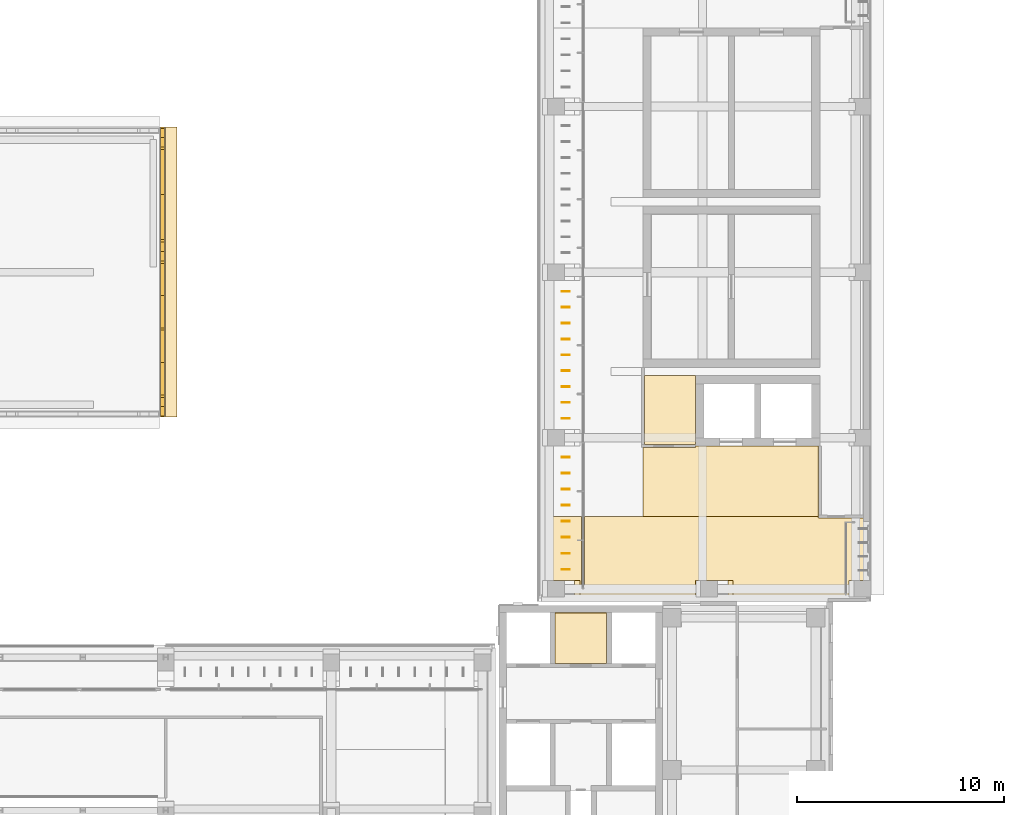
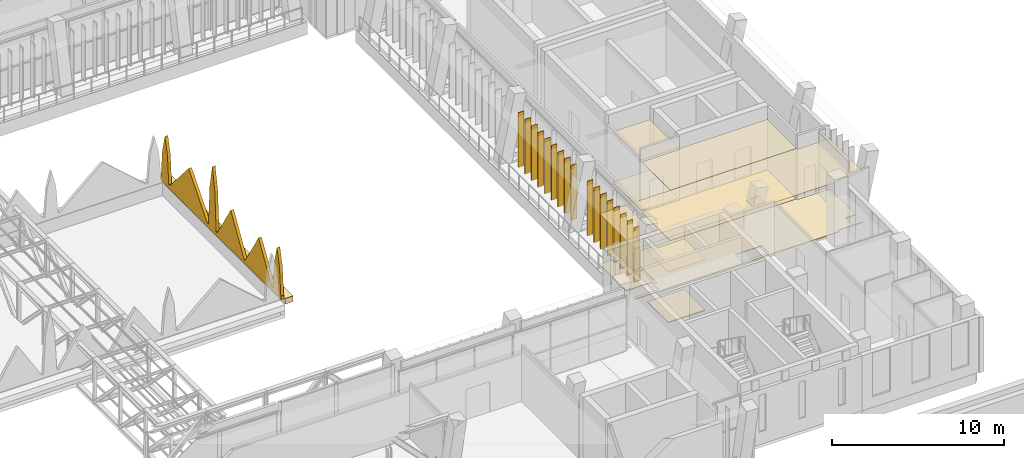
# One storey, part 138 of 141: 17 shading devices, 10 coverings.
"""IFC4 building model written with IfcOpenShell, lengths in metres."""

from ifc_helpers import new_model, si_unit, direction, frame, frame_2d, origin, origin_2d, place, context, subcontext, project, spatial, polyline, rectangle, outline, extrude, material, layer, layer_set, type_object, element, save


model = new_model("IFC4")

# Units and contexts
model_context = context("Model", 3, precision=1e-05, world=origin(), true_north=direction((0.0, 1.0)))
body_context = subcontext(model_context, "Body", "Model", "MODEL_VIEW")
ifc_project = project(units=[si_unit("LENGTHUNIT", "METRE"), si_unit("AREAUNIT", "SQUARE_METRE"), si_unit("VOLUMEUNIT", "CUBIC_METRE"), si_unit("PLANEANGLEUNIT", "RADIAN"), si_unit("MASSUNIT", "GRAM", prefix="KILO")], contexts=[model_context])

# Site, building, storey
site_placement = place(None, origin())
site = spatial("IfcSite", under=ifc_project, at=site_placement, CompositionType="ELEMENT")
building_placement = place(site_placement, origin())
building = spatial("IfcBuilding", under=site, at=building_placement, Name="Lantern Court Media Centre", CompositionType="ELEMENT")
storey_placement = place(building_placement, frame((0.0, 0.0, 9.60009765625)))
storey = spatial("IfcBuildingStorey", under=building, at=storey_placement, Name="L02", CompositionType="ELEMENT", Elevation=9.60009765625)

# Coverings
ifc_material_1 = material(Name="Ceramic tile")
ifc_layer_1 = layer(ifc_material_1, 0.050048828125)
ifc_layer_set_1 = layer_set([ifc_layer_1], Name="Ceramic tile")
covering_type_1 = type_object("IfcCoveringType", Name="Ceramic tile floor finish", PredefinedType="FLOORING", material=ifc_layer_set_1)
covering_1_placement = place(storey_placement, origin())
element("IfcCovering", 1, at=covering_1_placement, inside=storey, type_object=covering_type_1, Name="Accessible WC floor finish", PredefinedType="FLOORING", context=body_context, shape_type="SweptSolid", body=[
    extrude(outline(polyline([(89.594970703125, 75.0), (89.594970703125, 71.679931640625), (87.1298828125, 71.679931640625), (87.1298828125, 75.0), (89.594970703125, 75.0)])), origin(), (0.0, 0.0, 1.0), 0.0498046875),
])
covering_2_placement = place(storey_placement, origin())
element("IfcCovering", 2, at=covering_2_placement, inside=storey, type_object=covering_type_1, Name="Accessible WC floor finish", PredefinedType="FLOORING", context=body_context, shape_type="SweptSolid", body=[
    extrude(outline(polyline([(85.294921875, 63.544921875), (85.294921875, 61.10498046875), (82.804931640625, 61.10498046875), (82.804931640625, 63.544921875), (85.294921875, 63.544921875)])), origin(), (0.0, 0.0, 1.0), 0.0498046875),
])
ifc_material_2 = material(Name="Honed limestone cladding on blockwork", Category="masonry")
ifc_layer_2 = layer(ifc_material_2, 0.550048828125)
ifc_layer_set_2 = layer_set([ifc_layer_2], Name="Honed limestone cladding on blockwork")
covering_type_2 = type_object("IfcCoveringType", Name="Limestone cornice 550", PredefinedType="CLADDING", material=ifc_layer_set_2)
covering_3_placement = place(storey_placement, frame((64.27490234375, 73.0, 0.699951171875), z_axis=(0.0, 0.0, 1.0), x_axis=(0.0, 1.0, 0.0)))
element("IfcCovering", 3, at=covering_3_placement, inside=storey, type_object=covering_type_2, Name="Attic cornice", PredefinedType="CLADDING", context=body_context, shape_type="SweptSolid", body=[
    extrude(rectangle(XDim=14.0, YDim=0.550048828125, at=frame_2d((7.0, 0.0))), origin(), (0.0, 0.0, 1.0), 0.39990234375),
])
ifc_layer_3 = layer(ifc_material_2, 0.199951171875)
ifc_layer_set_3 = layer_set([ifc_layer_3], Name="Honed limestone cladding on blockwork")
covering_type_3 = type_object("IfcCoveringType", Name="Limestone cresting 200", PredefinedType="CLADDING", material=ifc_layer_set_3)
covering_4_placement = place(storey_placement, frame((63.85009765625, 73.0, 1.099853515625), z_axis=(0.0, 0.0, 1.0), x_axis=(0.0, 1.0, 0.0)))
element("IfcCovering", 4, at=covering_4_placement, inside=storey, type_object=covering_type_3, Name="Parapet cresting", PredefinedType="CLADDING", context=body_context, shape_type="SweptSolid", body=[
    extrude(outline(polyline([(0.0, 0.0), (14.0, 0.0), (14.0, 0.25), (13.949951171875, 0.25), (13.800048828125, 2.2099609375), (13.5, 3.400146484375), (13.199951171875, 2.2099609375), (13.050048828125, 0.25), (12.929931640625, 0.25), (10.75, 2.800048828125), (8.570068359375, 0.25), (8.449951171875, 0.25), (8.300048828125, 2.983642578125), (8.0, 4.590087890625), (7.699951171875, 2.983642578125), (7.550048828125, 0.25), (7.429931640625, 0.25), (5.864990234375, 2.800048828125), (4.300048828125, 0.25), (4.199951171875, 0.25), (2.635009765625, 2.800048828125), (1.070068359375, 0.25), (0.949951171875, 0.25), (0.800048828125, 2.2099609375), (0.5, 3.400146484375), (0.199951171875, 2.2099609375), (0.050048828125, 0.25), (0.0, 0.25), (0.0, 0.0)])), frame((0.0, 0.10009765625, 0.0), z_axis=(0.0, -1.0, 0.0), x_axis=(1.0, 0.0, 0.0)), (0.0, 0.0, 1.0), 0.199951171875),
])
ifc_material_3 = material(Name="Mineral fibre ceiling tile")
ifc_layer_4 = layer(ifc_material_3, 0.02001953125)
ifc_layer_set_4 = layer_set([ifc_layer_4], Name="Mineral fibre ceiling tile")
covering_type_4 = type_object("IfcCoveringType", Name="Suspended ceiling tile", PredefinedType="CEILING", material=ifc_layer_set_4)
covering_5_placement = place(storey_placement, frame((0.0, 0.0, 3.599853515625)))
element("IfcCovering", 5, at=covering_5_placement, inside=storey, type_object=covering_type_4, Name="End Lobby ceiling", PredefinedType="CEILING", context=body_context, shape_type="SweptSolid", body=[
    extrude(outline(polyline([(97.699951171875, 64.240478515625), (96.0, 64.240478515625), (95.99951171875, 64.10009765625), (82.300048828125, 64.10009765625), (82.300048828125, 68.199951171875), (84.074462890625, 68.199951171875), (84.074951171875, 64.8994140625), (84.2255859375, 64.89990234375), (84.2255859375, 68.199951171875), (95.51953125, 68.199951171875), (95.52001953125, 68.119384765625), (97.695068359375, 68.119384765625), (97.699462890625, 68.199951171875), (97.699951171875, 64.240478515625)]), holes=[polyline([(91.152099609375, 64.299560546875), (91.152587890625, 65.100341796875), (90.599609375, 65.100341796875), (90.599609375, 64.2998046875), (91.152099609375, 64.299560546875)]), polyline([(90.400390625, 65.10009765625), (90.3515625, 65.10009765625), (90.35205078125, 64.299560546875), (90.400390625, 64.300048828125), (90.400390625, 65.10009765625)]), polyline([(83.752197265625, 64.299560546875), (83.75244140625, 65.100341796875), (83.19970703125, 65.100341796875), (83.199462890625, 64.2998046875), (83.752197265625, 64.299560546875)]), polyline([(83.00048828125, 65.10009765625), (82.95166015625, 65.10009765625), (82.9521484375, 64.299560546875), (83.00048828125, 64.300048828125), (83.00048828125, 65.10009765625)])]), origin(), (0.0, 0.0, 1.0), 0.02001953125),
])
covering_6_placement = place(storey_placement, frame((0.0, 0.0, 3.599853515625)))
element("IfcCovering", 6, at=covering_6_placement, inside=storey, type_object=covering_type_4, Name="Lift Lobby ceiling", PredefinedType="CEILING", context=body_context, shape_type="SweptSolid", body=[
    extrude(outline(polyline([(95.60009765625, 71.595458984375), (95.51953125, 71.594970703125), (95.51953125, 68.199951171875), (87.050048828125, 68.199951171875), (87.050048828125, 71.5244140625), (89.594970703125, 71.5244140625), (89.595458984375, 71.60009765625), (95.60009765625, 71.595458984375)])), origin(), (0.0, 0.0, 1.0), 0.02001953125),
])
covering_7_placement = place(storey_placement, frame((0.0, 0.0, 3.599853515625)))
element("IfcCovering", 7, at=covering_7_placement, inside=storey, type_object=covering_type_4, Name="Accessible WC ceiling", PredefinedType="CEILING", context=body_context, shape_type="SweptSolid", body=[
    extrude(outline(polyline([(89.599609375, 75.0), (89.599609375, 71.60009765625), (89.594970703125, 71.675537109375), (87.12548828125, 71.675537109375), (87.12548828125, 75.0), (89.599609375, 75.0)])), origin(), (0.0, 0.0, 1.0), 0.02001953125),
])
covering_8_placement = place(storey_placement, frame((0.0, 0.0, 3.599853515625)))
element("IfcCovering", 8, at=covering_8_placement, inside=storey, type_object=covering_type_4, Name="Accessible WC ceiling", PredefinedType="CEILING", context=body_context, shape_type="SweptSolid", body=[
    extrude(outline(polyline([(85.299560546875, 63.549560546875), (85.299560546875, 61.1005859375), (82.800537109375, 61.1005859375), (82.800537109375, 63.549560546875), (85.299560546875, 63.549560546875)])), origin(), (0.0, 0.0, 1.0), 0.02001953125),
])
ifc_material_4 = material(Name="Terrazzo")
ifc_layer_5 = layer(ifc_material_4, 0.050048828125)
ifc_layer_set_5 = layer_set([ifc_layer_5], Name="Terrazzo")
covering_type_5 = type_object("IfcCoveringType", Name="Terrazzo floor finish", PredefinedType="FLOORING", material=ifc_layer_set_5)
covering_9_placement = place(storey_placement, origin())
element("IfcCovering", 9, at=covering_9_placement, inside=storey, type_object=covering_type_5, Name="End Lobby floor finish", PredefinedType="FLOORING", context=body_context, shape_type="SweptSolid", body=[
    extrude(outline(polyline([(97.699951171875, 64.2451171875), (95.99951171875, 64.244873046875), (95.9951171875, 64.10009765625), (82.300048828125, 64.10009765625), (82.300048828125, 64.294921875), (84.0048828125, 64.300048828125), (84.001953125, 65.104736328125), (82.300048828125, 65.10498046875), (82.300048828125, 68.199951171875), (84.070068359375, 68.199951171875), (84.074951171875, 64.89501953125), (84.22998046875, 64.89990234375), (84.22998046875, 68.199951171875), (95.514892578125, 68.199951171875), (95.52001953125, 68.114990234375), (97.695068359375, 68.114990234375), (97.699951171875, 65.10498046875), (96.99609375, 65.103271484375), (96.9951171875, 64.300048828125), (97.699951171875, 64.294921875), (97.699951171875, 64.2451171875)]), holes=[polyline([(89.594970703125, 64.300048828125), (91.40185546875, 64.29541015625), (91.404541015625, 65.101806640625), (89.59814453125, 65.104736328125), (89.594970703125, 64.300048828125)])]), origin(), (0.0, 0.0, 1.0), 0.0498046875),
])
covering_10_placement = place(storey_placement, origin())
element("IfcCovering", 10, at=covering_10_placement, inside=storey, type_object=covering_type_5, Name="Lift Lobby floor finish", PredefinedType="FLOORING", context=body_context, shape_type="SweptSolid", body=[
    extrude(outline(polyline([(87.050048828125, 68.199951171875), (87.050048828125, 71.52001953125), (89.594970703125, 71.52001953125), (89.60009765625, 71.594970703125), (95.514892578125, 71.594970703125), (95.514892578125, 68.199951171875), (87.050048828125, 68.199951171875)])), origin(), (0.0, 0.0, 1.0), 0.0498046875),
])

# Shading devices
ifc_material_5 = material(Name="Bronze anodised aluminium louvre", Category="aluminium")
ifc_layer_6 = layer(ifc_material_5, 0.0400390625)
ifc_layer_set_6 = layer_set([ifc_layer_6], Name="Bronze anodised aluminium louvre")
shading_device_type = type_object("IfcShadingDeviceType", Name="Vertical louvre 40x400 under beam", PredefinedType="USERDEFINED", material=ifc_layer_set_6)
for number, where, z_axis, x_axis, name in (
    (11, (83.320068359375, 65.637451171875, 0.0), (0.0, 0.0, 1.0), (1.0, 0.0, 0.0), "Vertical louvre E inner L02"),
    (12, (83.320068359375, 66.41259765625, 0.0), (0.0, 0.0, 1.0), (1.0, 0.0, 0.0), "Vertical louvre E inner L02"),
    (13, (83.320068359375, 67.1875, 0.0), (0.0, 0.0, 1.0), (1.0, 0.0, 0.0), "Vertical louvre E inner L02"),
    (14, (83.320068359375, 67.96240234375, 0.0), (0.0, 0.0, 1.0), (1.0, 0.0, 0.0), "Vertical louvre E inner L02"),
    (15, (83.320068359375, 68.737548828125, 0.0), (0.0, 0.0, 1.0), (1.0, 0.0, 0.0), "Vertical louvre E inner L02"),
    (16, (83.320068359375, 69.512451171875, 0.0), (0.0, 0.0, 1.0), (1.0, 0.0, 0.0), "Vertical louvre E inner L02"),
    (17, (83.320068359375, 70.28759765625, 0.0), (0.0, 0.0, 1.0), (1.0, 0.0, 0.0), "Vertical louvre E inner L02"),
    (18, (83.320068359375, 71.0625, 0.0), (0.0, 0.0, 1.0), (1.0, 0.0, 0.0), "Vertical louvre E inner L02"),
    (19, (83.320068359375, 72.933349609375, 0.0), (0.0, 0.0, 1.0), (1.0, 0.0, 0.0), "Vertical louvre E inner L02"),
    (20, (83.320068359375, 73.699951171875, 0.0), (0.0, 0.0, 1.0), (1.0, 0.0, 0.0), "Vertical louvre E inner L02"),
    (21, (83.320068359375, 74.466552734375, 0.0), (0.0, 0.0, 1.0), (1.0, 0.0, 0.0), "Vertical louvre E inner L02"),
    (22, (83.320068359375, 75.2333984375, 0.0), (0.0, 0.0, 1.0), (1.0, 0.0, 0.0), "Vertical louvre E inner L02"),
    (23, (83.320068359375, 76.0, 0.0), (0.0, 0.0, 1.0), (1.0, 0.0, 0.0), "Vertical louvre E inner L02"),
    (24, (83.320068359375, 76.7666015625, 0.0), (0.0, 0.0, 1.0), (1.0, 0.0, 0.0), "Vertical louvre E inner L02"),
    (25, (83.320068359375, 77.533447265625, 0.0), (0.0, 0.0, 1.0), (1.0, 0.0, 0.0), "Vertical louvre E inner L02"),
    (26, (83.320068359375, 78.300048828125, 0.0), (0.0, 0.0, 1.0), (1.0, 0.0, 0.0), "Vertical louvre E inner L02"),
    (27, (83.320068359375, 79.066650390625, 0.0), (0.0, 0.0, 1.0), (1.0, 0.0, 0.0), "Vertical louvre E inner L02"),
):
    element("IfcShadingDevice", number, at=place(storey_placement, frame(where, z_axis=z_axis, x_axis=x_axis)), inside=storey, type_object=shading_device_type, Name=name, ObjectType="VERTICAL LOUVRE", PredefinedType="USERDEFINED", context=body_context, shape_type="SweptSolid", body=[
        extrude(rectangle(XDim=0.39990234375, YDim=0.0400390625, at=origin_2d()), origin(), (0.0, 0.0, 1.0), 3.89990234375),
    ])

save(model, "model.ifc")
